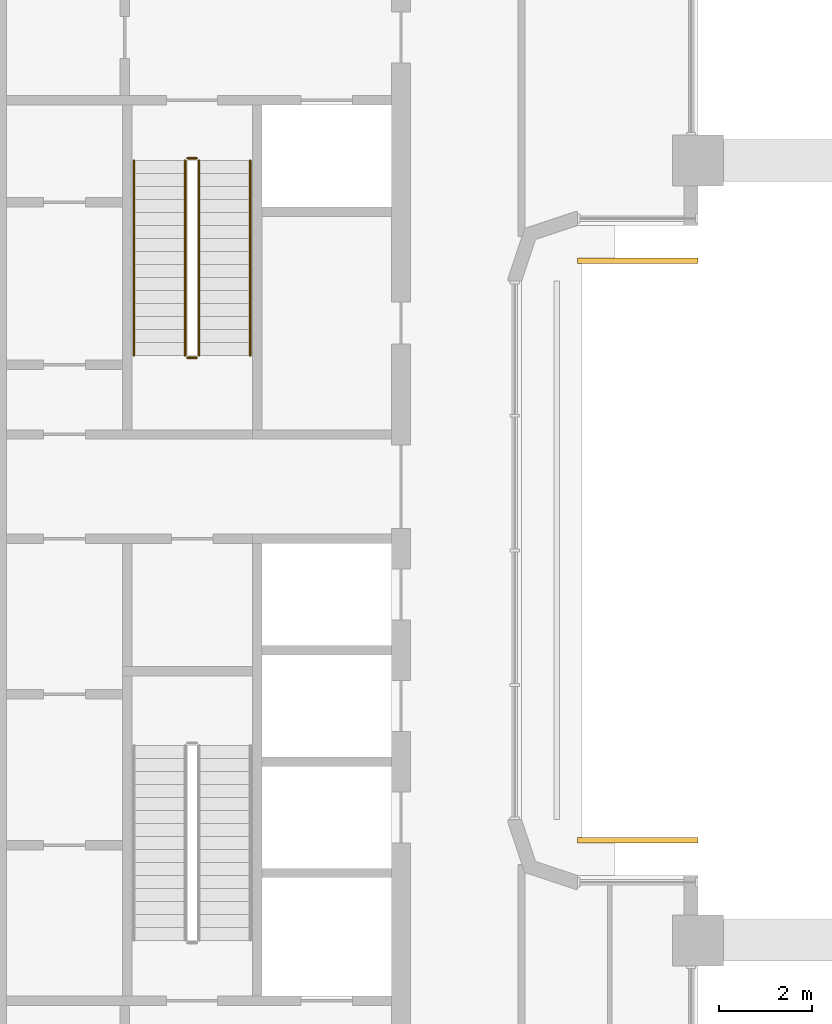
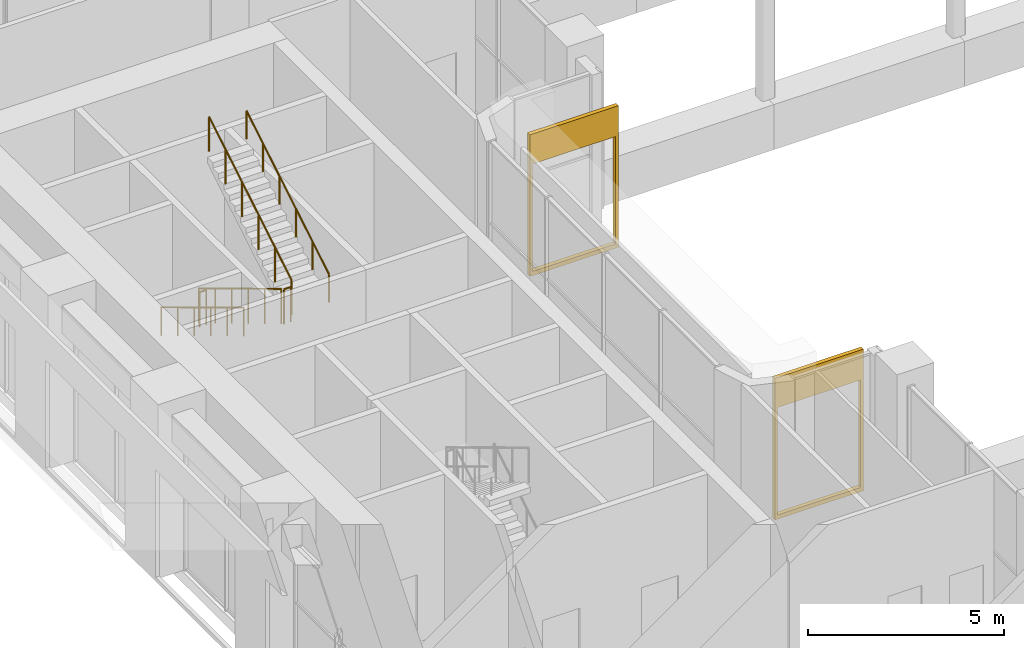
# One storey, part 23 of 27: 6 railings, 2 coverings.
"""IFC4 building model written with IfcOpenShell, lengths in metres."""

from ifc_helpers import new_model, si_unit, direction, frame, origin, origin_2d, place, context, subcontext, project, spatial, polyline, circle, outline, extrude, material, layer, layer_set, type_object, element, save


model = new_model("IFC4")

# Units and contexts
model_context = context("Model", 3, precision=1e-05, world=origin(), true_north=direction((0.0, 1.0)))
body_context = subcontext(model_context, "Body", "Model", "MODEL_VIEW")
ifc_project = project(units=[si_unit("LENGTHUNIT", "METRE"), si_unit("AREAUNIT", "SQUARE_METRE"), si_unit("VOLUMEUNIT", "CUBIC_METRE"), si_unit("PLANEANGLEUNIT", "RADIAN"), si_unit("MASSUNIT", "GRAM", prefix="KILO")], contexts=[model_context])

# Site, building, storey
site_placement = place(None, origin())
site = spatial("IfcSite", under=ifc_project, at=site_placement, CompositionType="ELEMENT")
building_placement = place(site_placement, origin())
building = spatial("IfcBuilding", under=site, at=building_placement, Name="Kiln Ring Residences", CompositionType="ELEMENT")
storey_placement = place(building_placement, frame((0.0, 0.0, 72.5)))
storey = spatial("IfcBuildingStorey", under=building, at=storey_placement, Name="L18", CompositionType="ELEMENT", Elevation=72.5)

# Railings
ifc_material_1 = material(Name="Stainless steel", Category="steel")
railing_type_1 = type_object("IfcRailingType", Name="CORE-STAIR-GUARD", PredefinedType="GUARDRAIL", material=ifc_material_1)
railing_1_placement = place(storey_placement, frame((-22.25, 8.39990234375, 0.168701171875)))
element("IfcRailing", 1, at=railing_1_placement, inside=storey, type_object=railing_type_1, Name="L18 W-STN stair guard 1", PredefinedType="GUARDRAIL", context=body_context, shape_type="SweptSolid", body=[
    extrude(circle(Radius=0.02392578125, at=origin_2d()), frame((0.0, 0.0, 1.076171875), z_axis=(0.0, -0.856476492594, 0.516186030065), x_axis=(1.0, 0.0, 0.0)), (0.0, 0.0, 1.0), 4.90380859375),
    extrude(circle(Radius=0.02099609375, at=origin_2d()), origin(), (0.0, 0.0, 1.0), 1.052001953125),
    extrude(circle(Radius=0.02099609375, at=origin_2d()), frame((0.0, -0.840087890625, 0.50634765625)), (0.0, 0.0, 1.0), 1.052001953125),
    extrude(circle(Radius=0.02099609375, at=origin_2d()), frame((0.0, -1.679931640625, 1.012451171875)), (0.0, 0.0, 1.0), 1.052001953125),
    extrude(circle(Radius=0.02099609375, at=origin_2d()), frame((0.0, -2.52001953125, 1.518798828125)), (0.0, 0.0, 1.0), 1.052001953125),
    extrude(circle(Radius=0.02099609375, at=origin_2d()), frame((0.0, -3.35986328125, 2.02490234375)), (0.0, 0.0, 1.0), 1.052001953125),
    extrude(circle(Radius=0.02099609375, at=origin_2d()), frame((0.0, -4.199951171875, 2.53125)), (0.0, 0.0, 1.0), 1.052001953125),
])
railing_2_placement = place(storey_placement, frame((-22.199951171875, 4.14990234375, 2.699951171875)))
element("IfcRailing", 2, at=railing_2_placement, inside=storey, type_object=railing_type_1, Name="L18 W-STN stair guard 2", PredefinedType="GUARDRAIL", context=body_context, shape_type="SweptSolid", body=[
    extrude(circle(Radius=0.02392578125, at=origin_2d()), frame((0.0, 0.0, 1.076171875), z_axis=(1.0, 0.0, 0.0), x_axis=(0.0, 1.0, 0.0)), (0.0, 0.0, 1.0), 0.199951171875),
    extrude(circle(Radius=0.02099609375, at=origin_2d()), origin(), (0.0, 0.0, 1.0), 1.052001953125),
    extrude(circle(Radius=0.02099609375, at=origin_2d()), frame((0.199951171875, 0.0, 0.0)), (0.0, 0.0, 1.0), 1.052001953125),
])
railing_3_placement = place(storey_placement, frame((-21.949951171875, 4.199951171875, 2.86865234375)))
element("IfcRailing", 3, at=railing_3_placement, inside=storey, type_object=railing_type_1, Name="L18 W-STN stair guard 3", PredefinedType="GUARDRAIL", context=body_context, shape_type="SweptSolid", body=[
    extrude(circle(Radius=0.02392578125, at=origin_2d()), frame((0.0, 0.0, 1.076171875), z_axis=(0.0, 0.856476492594, 0.516186030065), x_axis=(-1.0, 0.0, 0.0)), (0.0, 0.0, 1.0), 4.90380859375),
    extrude(circle(Radius=0.02099609375, at=origin_2d()), origin(), (0.0, 0.0, 1.0), 1.052001953125),
    extrude(circle(Radius=0.02099609375, at=origin_2d()), frame((0.0, 0.840087890625, 0.50634765625)), (0.0, 0.0, 1.0), 1.052001953125),
    extrude(circle(Radius=0.02099609375, at=origin_2d()), frame((0.0, 1.679931640625, 1.012451171875)), (0.0, 0.0, 1.0), 1.052001953125),
    extrude(circle(Radius=0.02099609375, at=origin_2d()), frame((0.0, 2.52001953125, 1.518798828125)), (0.0, 0.0, 1.0), 1.052001953125),
    extrude(circle(Radius=0.02099609375, at=origin_2d()), frame((0.0, 3.35986328125, 2.02490234375)), (0.0, 0.0, 1.0), 1.052001953125),
    extrude(circle(Radius=0.02099609375, at=origin_2d()), frame((0.0, 4.199951171875, 2.53125)), (0.0, 0.0, 1.0), 1.052001953125),
])
railing_4_placement = place(storey_placement, frame((-22.199951171875, 8.449951171875, 0.0)))
element("IfcRailing", 4, at=railing_4_placement, inside=storey, type_object=railing_type_1, Name="L18 W-STN stair guard 4", PredefinedType="GUARDRAIL", context=body_context, shape_type="SweptSolid", body=[
    extrude(circle(Radius=0.02392578125, at=origin_2d()), frame((0.0, 0.0, 1.076171875), z_axis=(1.0, 0.0, 0.0), x_axis=(0.0, 1.0, 0.0)), (0.0, 0.0, 1.0), 0.199951171875),
    extrude(circle(Radius=0.02099609375, at=origin_2d()), origin(), (0.0, 0.0, 1.0), 1.052001953125),
    extrude(circle(Radius=0.02099609375, at=origin_2d()), frame((0.199951171875, 0.0, 0.0)), (0.0, 0.0, 1.0), 1.052001953125),
])
ifc_material_2 = material(Name="Stainless steel", Category="steel")
railing_type_2 = type_object("IfcRailingType", Name="CORE-STAIR-HANDRAIL", PredefinedType="HANDRAIL", material=ifc_material_2)
railing_5_placement = place(storey_placement, frame((-23.35009765625, 8.39990234375, 0.168701171875)))
element("IfcRailing", 5, at=railing_5_placement, inside=storey, type_object=railing_type_2, Name="L18 W-STN stair handrail 1", PredefinedType="HANDRAIL", context=body_context, shape_type="SweptSolid", body=[
    extrude(circle(Radius=0.02392578125, at=origin_2d()), frame((0.0, 0.0, 0.8759765625), z_axis=(0.0, -0.856476492594, 0.516186030065), x_axis=(1.0, 0.0, 0.0)), (0.0, 0.0, 1.0), 4.90380859375),
    extrude(circle(Radius=0.02099609375, at=origin_2d()), origin(), (0.0, 0.0, 1.0), 0.851806640625),
    extrude(circle(Radius=0.02099609375, at=origin_2d()), frame((0.0, -0.840087890625, 0.50634765625)), (0.0, 0.0, 1.0), 0.851806640625),
    extrude(circle(Radius=0.02099609375, at=origin_2d()), frame((0.0, -1.679931640625, 1.012451171875)), (0.0, 0.0, 1.0), 0.851806640625),
    extrude(circle(Radius=0.02099609375, at=origin_2d()), frame((0.0, -2.52001953125, 1.518798828125)), (0.0, 0.0, 1.0), 0.851806640625),
    extrude(circle(Radius=0.02099609375, at=origin_2d()), frame((0.0, -3.35986328125, 2.02490234375)), (0.0, 0.0, 1.0), 0.851806640625),
    extrude(circle(Radius=0.02099609375, at=origin_2d()), frame((0.0, -4.199951171875, 2.53125)), (0.0, 0.0, 1.0), 0.851806640625),
])
railing_6_placement = place(storey_placement, frame((-20.85009765625, 4.199951171875, 2.86865234375)))
element("IfcRailing", 6, at=railing_6_placement, inside=storey, type_object=railing_type_2, Name="L18 W-STN stair handrail 2", PredefinedType="HANDRAIL", context=body_context, shape_type="SweptSolid", body=[
    extrude(circle(Radius=0.02392578125, at=origin_2d()), frame((0.0, 0.0, 0.8759765625), z_axis=(0.0, 0.856476492594, 0.516186030065), x_axis=(-1.0, 0.0, 0.0)), (0.0, 0.0, 1.0), 4.90380859375),
    extrude(circle(Radius=0.02099609375, at=origin_2d()), origin(), (0.0, 0.0, 1.0), 0.851806640625),
    extrude(circle(Radius=0.02099609375, at=origin_2d()), frame((0.0, 0.840087890625, 0.50634765625)), (0.0, 0.0, 1.0), 0.851806640625),
    extrude(circle(Radius=0.02099609375, at=origin_2d()), frame((0.0, 1.679931640625, 1.012451171875)), (0.0, 0.0, 1.0), 0.851806640625),
    extrude(circle(Radius=0.02099609375, at=origin_2d()), frame((0.0, 2.52001953125, 1.518798828125)), (0.0, 0.0, 1.0), 0.851806640625),
    extrude(circle(Radius=0.02099609375, at=origin_2d()), frame((0.0, 3.35986328125, 2.02490234375)), (0.0, 0.0, 1.0), 0.851806640625),
    extrude(circle(Radius=0.02099609375, at=origin_2d()), frame((0.0, 4.199951171875, 2.53125)), (0.0, 0.0, 1.0), 0.851806640625),
])

# Coverings
ifc_material_3 = material(Name="Brick masonry, dark clay brick", Category="masonry")
ifc_layer = layer(ifc_material_3, 0.1201171875)
ifc_layer_set = layer_set([ifc_layer], Name="RAINSCREEN PANEL 120")
covering_type = type_object("IfcCoveringType", Name="RAINSCREEN PANEL 120", PredefinedType="CLADDING", material=ifc_layer_set)
for number, where, z_axis, x_axis, name in (
    (7, (-11.199951171875, -6.239990234375, 0.0), (0.0, 0.0, 1.0), (-1.0, 0.0, 0.0), "RAINSCREEN L18"),
    (8, (-13.800048828125, 6.239990234375, 0.0), (0.0, 0.0, 1.0), (1.0, 0.0, 0.0), "RAINSCREEN L18"),
):
    element("IfcCovering", number, at=place(storey_placement, frame(where, z_axis=z_axis, x_axis=x_axis)), inside=storey, type_object=covering_type, Name=name, PredefinedType="CLADDING", context=body_context, shape_type="SweptSolid", body=[
        extrude(outline(polyline([(0.0, 0.0), (2.60009765625, 0.0), (2.60009765625, 4.39990234375), (0.0, 4.39990234375), (0.0, 0.0)]), holes=[polyline([(0.080078125, 3.469970703125), (0.080078125, 0.1298828125), (2.52001953125, 0.1298828125), (2.52001953125, 3.469970703125), (0.080078125, 3.469970703125)])]), frame((0.0, 0.06005859375, 0.0), z_axis=(0.0, -1.0, 0.0), x_axis=(1.0, 0.0, 0.0)), (0.0, 0.0, 1.0), 0.1201171875),
    ])

save(model, "model.ifc")
